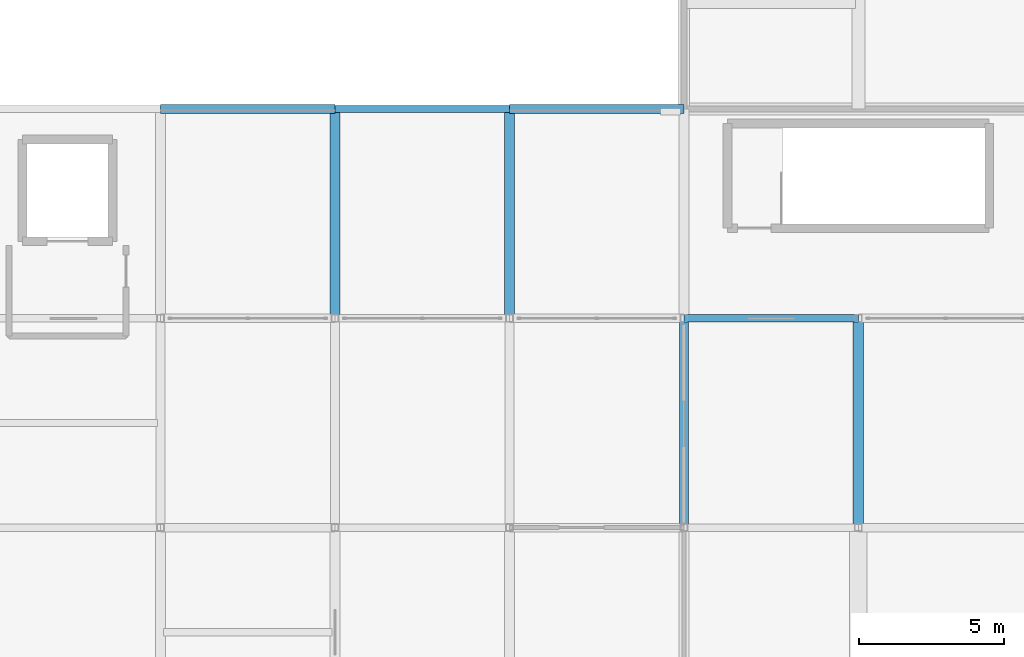
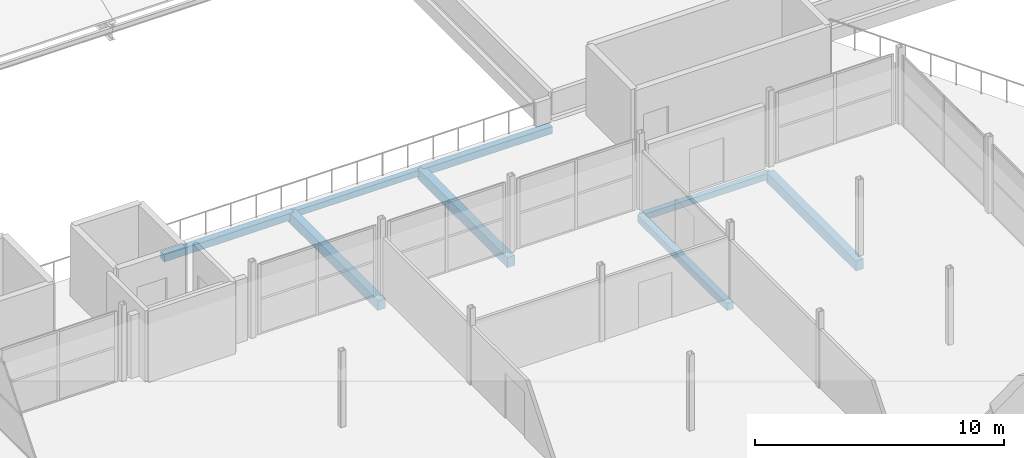
# One storey, part 166 of 239: 8 beams.
"""IFC4 building model written with IfcOpenShell, lengths in metres."""

from ifc_helpers import new_model, si_unit, direction, frame, origin, origin_2d, place, context, subcontext, project, spatial, rectangle, extrude, material, material_profile, profile_set, type_object, element, save


model = new_model("IFC4")

# Units and contexts
model_context = context("Model", 3, precision=1e-05, world=origin(), true_north=direction((0.0, 1.0)))
body_context = subcontext(model_context, "Body", "Model", "MODEL_VIEW")
ifc_project = project(units=[si_unit("LENGTHUNIT", "METRE"), si_unit("AREAUNIT", "SQUARE_METRE"), si_unit("VOLUMEUNIT", "CUBIC_METRE"), si_unit("PLANEANGLEUNIT", "RADIAN"), si_unit("MASSUNIT", "GRAM", prefix="KILO")], contexts=[model_context])

# Site, building, storey
site_placement = place(None, origin())
site = spatial("IfcSite", under=ifc_project, at=site_placement, CompositionType="ELEMENT")
building_placement = place(site_placement, origin())
building = spatial("IfcBuilding", under=site, at=building_placement, Name="Dunvalen Ferry Terminal", CompositionType="ELEMENT")
storey_placement = place(building_placement, frame((0.0, 0.0, 9.840087890625)))
storey = spatial("IfcBuildingStorey", under=building, at=storey_placement, Name="L02", CompositionType="ELEMENT", Elevation=9.840087890625)

# Beams
ifc_material_1 = material(Name="Concrete C35/45", Category="concrete")
ifc_material_profile_1 = material_profile(ifc_material_1, rectangle(XDim=0.35009765625, YDim=0.5, at=origin_2d()), Name="Concrete C35/45")
ifc_profile_set_1 = profile_set([ifc_material_profile_1], Name="Concrete C35/45")
beam_type_1 = type_object("IfcBeamType", Name="STR-BM-RCB500W", PredefinedType="JOIST", material=ifc_profile_set_1)
for number, where, z_axis, x_axis, name in (
    (1, (132.0, 36.0, -0.530029296875), (0.0, 1.0, 0.0), (-1.0, 0.0, 0.0), "L02 V4 Primary Girder Y-091"),
    (2, (138.0, 36.0, -0.530029296875), (0.0, 1.0, 0.0), (-1.0, 0.0, 0.0), "L02 V4 Primary Girder Y-097"),
    (3, (150.0, 28.800048828125, -0.530029296875), (0.0, 1.0, 0.0), (-1.0, 0.0, 0.0), "L02 V4 Primary Girder Y-107"),
):
    element("IfcBeam", number, at=place(storey_placement, frame(where, z_axis=z_axis, x_axis=x_axis)), inside=storey, type_object=beam_type_1, Name=name, PredefinedType="JOIST", context=body_context, shape_type="SweptSolid", body=[
        extrude(rectangle(XDim=0.35009765625, YDim=0.5, at=origin_2d()), origin(), (0.0, 0.0, 1.0), 7.199951171875),
    ])
ifc_material_profile_2 = material_profile(ifc_material_1, rectangle(XDim=0.25, YDim=0.300048828125, at=origin_2d()), Name="Concrete C35/45")
ifc_profile_set_2 = profile_set([ifc_material_profile_2], Name="Concrete C35/45")
beam_type_2 = type_object("IfcBeamType", Name="STR-BM-RCL300", PredefinedType="LINTEL", material=ifc_profile_set_2)
for number, where, z_axis, x_axis, name in (
    (4, (144.0, 36.0, -0.43017578125), (1.0, 0.0, 0.0), (0.0, 1.0, 0.0), "L02 V4 Primary Beam X-053"),
    (5, (132.0, 43.199951171875, -0.43017578125), (1.0, 0.0, 0.0), (0.0, 1.0, 0.0), "L02 V4 Primary Beam X-059"),
):
    element("IfcBeam", number, at=place(storey_placement, frame(where, z_axis=z_axis, x_axis=x_axis)), inside=storey, type_object=beam_type_2, Name=name, PredefinedType="LINTEL", context=body_context, shape_type="SweptSolid", body=[
        extrude(rectangle(XDim=0.25, YDim=0.300048828125, at=origin_2d()), origin(), (0.0, 0.0, 1.0), 6.0),
    ])
ifc_material_2 = material(Name="Concrete C40/50", Category="concrete")
ifc_material_profile_3 = material_profile(ifc_material_2, rectangle(XDim=0.300048828125, YDim=0.35009765625, at=origin_2d()), Name="Concrete C40/50")
ifc_profile_set_3 = profile_set([ifc_material_profile_3], Name="Concrete C40/50")
beam_type_3 = type_object("IfcBeamType", Name="STR-BM-RCL350", PredefinedType="LINTEL", material=ifc_profile_set_3)
for number, where, z_axis, x_axis, name in (
    (6, (126.0, 43.199951171875, -0.455078125), (1.0, 0.0, 0.0), (0.0, 1.0, 0.0), "L02 V4 Primary Beam X-058"),
    (7, (138.0, 43.199951171875, -0.455078125), (1.0, 0.0, 0.0), (0.0, 1.0, 0.0), "L02 V4 Primary Beam X-060"),
):
    element("IfcBeam", number, at=place(storey_placement, frame(where, z_axis=z_axis, x_axis=x_axis)), inside=storey, type_object=beam_type_3, Name=name, PredefinedType="LINTEL", context=body_context, shape_type="SweptSolid", body=[
        extrude(rectangle(XDim=0.300048828125, YDim=0.35009765625, at=origin_2d()), origin(), (0.0, 0.0, 1.0), 6.0),
    ])
beam_placement = place(storey_placement, frame((144.0, 28.800048828125, -0.455078125), z_axis=(0.0, 1.0, 0.0), x_axis=(-1.0, 0.0, 0.0)))
element("IfcBeam", 8, at=beam_placement, inside=storey, type_object=beam_type_3, Name="L02 V4 Primary Girder Y-102", PredefinedType="LINTEL", context=body_context, shape_type="SweptSolid", body=[
    extrude(rectangle(XDim=0.300048828125, YDim=0.35009765625, at=origin_2d()), origin(), (0.0, 0.0, 1.0), 7.199951171875),
])

save(model, "model.ifc")
